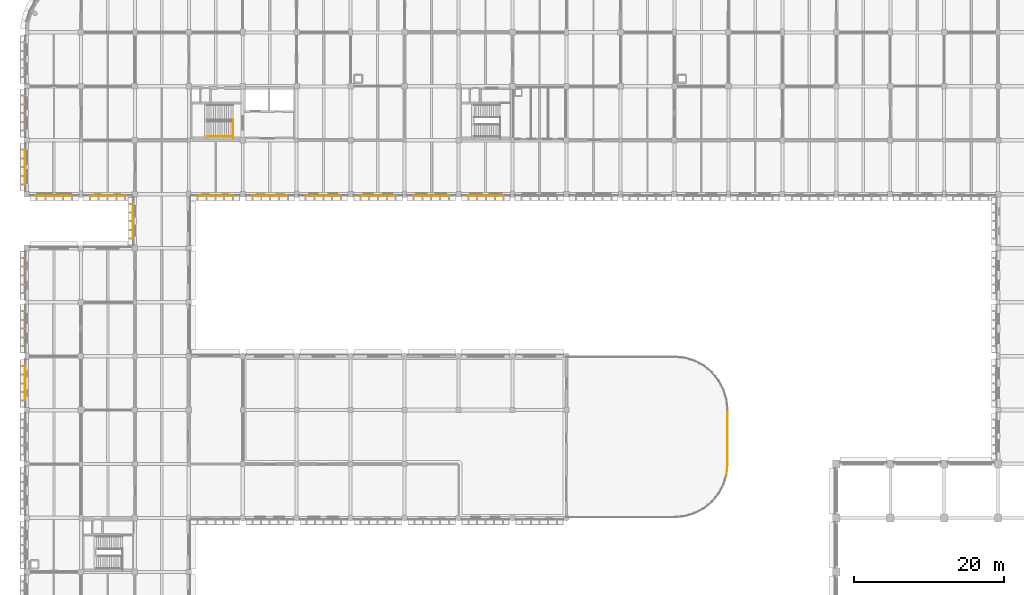
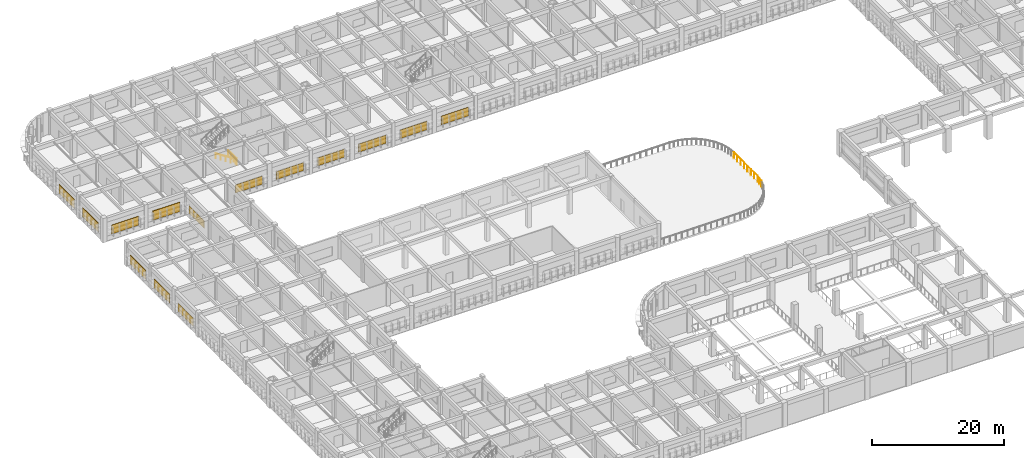
# One storey, part 58 of 61: 14 shading devices, 4 railings.
"""IFC4 building model written with IfcOpenShell, lengths in metres."""

from ifc_helpers import new_model, si_unit, direction, frame, origin, origin_2d, place, context, subcontext, project, spatial, rectangle, circle, extrude, material, layer, layer_set, type_object, element, save


model = new_model("IFC4")

# Units and contexts
model_context = context("Model", 3, precision=1e-05, world=origin(), true_north=direction((0.0, 1.0)))
body_context = subcontext(model_context, "Body", "Model", "MODEL_VIEW")
ifc_project = project(units=[si_unit("LENGTHUNIT", "METRE"), si_unit("AREAUNIT", "SQUARE_METRE"), si_unit("VOLUMEUNIT", "CUBIC_METRE"), si_unit("PLANEANGLEUNIT", "RADIAN"), si_unit("MASSUNIT", "GRAM", prefix="KILO")], contexts=[model_context])

# Site, building, storey
site_placement = place(None, origin())
site = spatial("IfcSite", under=ifc_project, at=site_placement, CompositionType="ELEMENT")
building_placement = place(site_placement, origin())
building = spatial("IfcBuilding", under=site, at=building_placement, Name="Thalmaran Polytechnic", CompositionType="ELEMENT")
storey_placement = place(building_placement, frame((0.0, 0.0, 9.89990234375)))
storey = spatial("IfcBuildingStorey", under=building, at=storey_placement, Name="L02", CompositionType="ELEMENT", Elevation=9.89990234375)

# Railings
ifc_material_1 = material(Name="Stainless steel 316 and laminated glass", Category="steel")
railing_type_1 = type_object("IfcRailingType", Name="RL-BL01", PredefinedType="BALUSTRADE", material=ifc_material_1)
railing_1_placement = place(storey_placement, frame((93.5, 64.795166015625, 0.0)))
element("IfcRailing", 1, at=railing_1_placement, inside=storey, type_object=railing_type_1, Name="Terrace Balustrade Guard L02-1-11", PredefinedType="BALUSTRADE", context=body_context, shape_type="SweptSolid", body=[
    extrude(circle(Radius=0.02392578125, at=origin_2d()), frame((0.0, 0.0, 1.1259765625), z_axis=(0.0, -1.0, 0.0), x_axis=(1.0, 0.0, 0.0)), (0.0, 0.0, 1.0), 7.190185546875),
    extrude(circle(Radius=0.02099609375, at=origin_2d()), origin(), (0.0, 0.0, 1.0), 1.101806640625),
    extrude(circle(Radius=0.02099609375, at=origin_2d()), frame((0.0, -1.027099609375, 0.0)), (0.0, 0.0, 1.0), 1.101806640625),
    extrude(circle(Radius=0.02099609375, at=origin_2d()), frame((0.0, -2.054443359375, 0.0)), (0.0, 0.0, 1.0), 1.101806640625),
    extrude(circle(Radius=0.02099609375, at=origin_2d()), frame((0.0, -3.08154296875, 0.0)), (0.0, 0.0, 1.0), 1.101806640625),
    extrude(circle(Radius=0.02099609375, at=origin_2d()), frame((0.0, -4.108642578125, 0.0)), (0.0, 0.0, 1.0), 1.101806640625),
    extrude(circle(Radius=0.02099609375, at=origin_2d()), frame((0.0, -5.1357421875, 0.0)), (0.0, 0.0, 1.0), 1.101806640625),
    extrude(circle(Radius=0.02099609375, at=origin_2d()), frame((0.0, -6.1630859375, 0.0)), (0.0, 0.0, 1.0), 1.101806640625),
    extrude(circle(Radius=0.02099609375, at=origin_2d()), frame((0.0, -7.190185546875, 0.0)), (0.0, 0.0, 1.0), 1.101806640625),
])
railing_2_placement = place(storey_placement, frame((93.5, 57.60498046875, 0.0)))
element("IfcRailing", 2, at=railing_2_placement, inside=storey, type_object=railing_type_1, Name="Terrace Balustrade Guard L02-1-12", PredefinedType="BALUSTRADE", context=body_context, shape_type="SweptSolid", body=[
    extrude(circle(Radius=0.02392578125, at=origin_2d()), frame((0.0, 0.0, 1.1259765625), z_axis=(-0.098050020131, -0.995181487746, 0.0), x_axis=(0.995181487746, -0.098050020131, 0.0)), (0.0, 0.0, 1.0), 1.39697265625),
    extrude(circle(Radius=0.02099609375, at=origin_2d()), origin(), (0.0, 0.0, 1.0), 1.101806640625),
    extrude(circle(Radius=0.02099609375, at=origin_2d()), frame((-0.068359375, -0.695068359375, 0.0)), (0.0, 0.0, 1.0), 1.101806640625),
    extrude(circle(Radius=0.02099609375, at=origin_2d()), frame((-0.136962890625, -1.39013671875, 0.0)), (0.0, 0.0, 1.0), 1.101806640625),
])
ifc_material_2 = material(Name="Stainless steel 316", Category="steel")
railing_type_2 = type_object("IfcRailingType", Name="RL-GR01", PredefinedType="GUARDRAIL", material=ifc_material_2)
railing_3_placement = place(storey_placement, frame((27.530029296875, 101.050048828125, 0.0)))
element("IfcRailing", 3, at=railing_3_placement, inside=storey, type_object=railing_type_2, Name="ST2 L02 Landing Edge Guardrail", PredefinedType="GUARDRAIL", context=body_context, shape_type="SweptSolid", body=[
    extrude(circle(Radius=0.02392578125, at=origin_2d()), frame((0.0, 0.0, 1.1259765625), z_axis=(0.0, 1.0, 0.0), x_axis=(-1.0, 0.0, 0.0)), (0.0, 0.0, 1.0), 2.530029296875),
    extrude(circle(Radius=0.02099609375, at=origin_2d()), origin(), (0.0, 0.0, 1.0), 1.101806640625),
    extrude(circle(Radius=0.02099609375, at=origin_2d()), frame((0.0, 0.84326171875, 0.0)), (0.0, 0.0, 1.0), 1.101806640625),
    extrude(circle(Radius=0.02099609375, at=origin_2d()), frame((0.0, 1.686767578125, 0.0)), (0.0, 0.0, 1.0), 1.101806640625),
    extrude(circle(Radius=0.02099609375, at=origin_2d()), frame((0.0, 2.530029296875, 0.0)), (0.0, 0.0, 1.0), 1.101806640625),
])
railing_type_3 = type_object("IfcRailingType", Name="RL-HR01", PredefinedType="HANDRAIL", material=ifc_material_2)
railing_4_placement = place(storey_placement, frame((27.52001953125, 101.280029296875, 0.0)))
element("IfcRailing", 4, at=railing_4_placement, inside=storey, type_object=railing_type_3, Name="ST2 L02 Flight 1 Handrail", PredefinedType="HANDRAIL", context=body_context, shape_type="SweptSolid", body=[
    extrude(circle(Radius=0.02392578125, at=origin_2d()), frame((0.0, 0.0, 0.8759765625), z_axis=(-0.84257692701, 0.0, 0.53857601327), x_axis=(0.0, -1.0, 0.0)), (0.0, 0.0, 1.0), 4.177734375),
    extrude(circle(Radius=0.02099609375, at=origin_2d()), origin(), (0.0, 0.0, 1.0), 0.851806640625),
    extrude(circle(Radius=0.02099609375, at=origin_2d()), frame((-0.8798828125, 0.0, 0.5625)), (0.0, 0.0, 1.0), 0.851806640625),
    extrude(circle(Radius=0.02099609375, at=origin_2d()), frame((-1.760009765625, 0.0, 1.125)), (0.0, 0.0, 1.0), 0.851806640625),
    extrude(circle(Radius=0.02099609375, at=origin_2d()), frame((-2.64013671875, 0.0, 1.6875)), (0.0, 0.0, 1.0), 0.851806640625),
    extrude(circle(Radius=0.02099609375, at=origin_2d()), frame((-3.52001953125, 0.0, 2.25)), (0.0, 0.0, 1.0), 0.851806640625),
])

# Shading devices
ifc_material_3 = material(Name="Perforated anodised-bronze aluminium screen", Category="aluminium")
ifc_layer = layer(ifc_material_3, 0.080078125, Name="Perforated anodised-bronze aluminium screen")
ifc_layer_set = layer_set([ifc_layer], Name="Perforated anodised-bronze aluminium screen")
shading_device_type = type_object("IfcShadingDeviceType", Name="SH-JL01", PredefinedType="JALOUSIE", material=ifc_layer_set)
shading_device_1_placement = place(storey_placement, frame((-0.219970703125, 68.39990234375, 1.025146484375), z_axis=(0.0, 0.0, 1.0), x_axis=(0.0, 1.0, 0.0)))
element("IfcShadingDevice", 5, at=shading_device_1_placement, inside=storey, type_object=shading_device_type, Name="Anodised-Bronze Mashrabiya Solar Screen L02-010", PredefinedType="JALOUSIE", context=body_context, shape_type="SweptSolid", body=[
    extrude(rectangle(XDim=4.6259765625, YDim=0.080078125, at=origin_2d()), origin(), (0.0, 0.0, 1.0), 1.5),
])
shading_device_2_placement = place(storey_placement, frame((-0.219970703125, 75.60009765625, 1.025146484375), z_axis=(0.0, 0.0, 1.0), x_axis=(0.0, 1.0, 0.0)))
element("IfcShadingDevice", 6, at=shading_device_2_placement, inside=storey, type_object=shading_device_type, Name="Anodised-Bronze Mashrabiya Solar Screen L02-011", PredefinedType="JALOUSIE", context=body_context, shape_type="SweptSolid", body=[
    extrude(rectangle(XDim=4.662109375, YDim=0.080078125, at=origin_2d()), origin(), (0.0, 0.0, 1.0), 1.60009765625),
])
shading_device_3_placement = place(storey_placement, frame((-0.219970703125, 82.800048828125, 1.025146484375), z_axis=(0.0, 0.0, 1.0), x_axis=(0.0, 1.0, 0.0)))
element("IfcShadingDevice", 7, at=shading_device_3_placement, inside=storey, type_object=shading_device_type, Name="Anodised-Bronze Mashrabiya Solar Screen L02-012", PredefinedType="JALOUSIE", context=body_context, shape_type="SweptSolid", body=[
    extrude(rectangle(XDim=4.687255859375, YDim=0.080078125, at=origin_2d()), origin(), (0.0, 0.0, 1.0), 1.60009765625),
])
shading_device_4_placement = place(storey_placement, frame((14.179931640625, 90.0, 1.025146484375), z_axis=(0.0, 0.0, 1.0), x_axis=(0.0, 1.0, 0.0)))
element("IfcShadingDevice", 8, at=shading_device_4_placement, inside=storey, type_object=shading_device_type, Name="Anodised-Bronze Mashrabiya Solar Screen L02-015", PredefinedType="JALOUSIE", context=body_context, shape_type="SweptSolid", body=[
    extrude(rectangle(XDim=4.63330078125, YDim=0.080078125, at=origin_2d()), origin(), (0.0, 0.0, 1.0), 1.35009765625),
])
shading_device_5_placement = place(storey_placement, frame((10.800048828125, 93.3798828125, 1.025146484375), z_axis=(0.0, 0.0, 1.0), x_axis=(-1.0, 0.0, 0.0)))
element("IfcShadingDevice", 9, at=shading_device_5_placement, inside=storey, type_object=shading_device_type, Name="Anodised-Bronze Mashrabiya Solar Screen L02-016", PredefinedType="JALOUSIE", context=body_context, shape_type="SweptSolid", body=[
    extrude(rectangle(XDim=4.716064453125, YDim=0.080078125, at=origin_2d()), origin(), (0.0, 0.0, 1.0), 1.75),
])
shading_device_6_placement = place(storey_placement, frame((3.60009765625, 93.3798828125, 1.025146484375), z_axis=(0.0, 0.0, 1.0), x_axis=(-1.0, 0.0, 0.0)))
element("IfcShadingDevice", 10, at=shading_device_6_placement, inside=storey, type_object=shading_device_type, Name="Anodised-Bronze Mashrabiya Solar Screen L02-017", PredefinedType="JALOUSIE", context=body_context, shape_type="SweptSolid", body=[
    extrude(rectangle(XDim=4.716064453125, YDim=0.080078125, at=origin_2d()), origin(), (0.0, 0.0, 1.0), 1.64990234375),
])
shading_device_7_placement = place(storey_placement, frame((-0.219970703125, 97.199951171875, 1.025146484375), z_axis=(0.0, 0.0, 1.0), x_axis=(0.0, 1.0, 0.0)))
element("IfcShadingDevice", 11, at=shading_device_7_placement, inside=storey, type_object=shading_device_type, Name="Anodised-Bronze Mashrabiya Solar Screen L02-018", PredefinedType="JALOUSIE", context=body_context, shape_type="SweptSolid", body=[
    extrude(rectangle(XDim=4.65478515625, YDim=0.080078125, at=origin_2d()), origin(), (0.0, 0.0, 1.0), 1.64990234375),
])
shading_device_8_placement = place(storey_placement, frame((-0.219970703125, 104.39990234375, 1.025146484375), z_axis=(0.0, 0.0, 1.0), x_axis=(0.0, 1.0, 0.0)))
element("IfcShadingDevice", 12, at=shading_device_8_placement, inside=storey, type_object=shading_device_type, Name="Anodised-Bronze Mashrabiya Solar Screen L02-019", PredefinedType="JALOUSIE", context=body_context, shape_type="SweptSolid", body=[
    extrude(rectangle(XDim=4.6728515625, YDim=0.080078125, at=origin_2d()), origin(), (0.0, 0.0, 1.0), 1.60009765625),
])
shading_device_9_placement = place(storey_placement, frame((61.199951171875, 93.3798828125, 1.025146484375), z_axis=(0.0, 0.0, 1.0), x_axis=(-1.0, 0.0, 0.0)))
element("IfcShadingDevice", 13, at=shading_device_9_placement, inside=storey, type_object=shading_device_type, Name="Anodised-Bronze Mashrabiya Solar Screen L02-103", PredefinedType="JALOUSIE", context=body_context, shape_type="SweptSolid", body=[
    extrude(rectangle(XDim=4.716064453125, YDim=0.080078125, at=origin_2d()), origin(), (0.0, 0.0, 1.0), 1.60009765625),
])
shading_device_10_placement = place(storey_placement, frame((54.0, 93.3798828125, 1.02490234375), z_axis=(0.0, 0.0, 1.0), x_axis=(-1.0, 0.0, 0.0)))
element("IfcShadingDevice", 14, at=shading_device_10_placement, inside=storey, type_object=shading_device_type, Name="Anodised-Bronze Mashrabiya Solar Screen L02-104", PredefinedType="JALOUSIE", context=body_context, shape_type="SweptSolid", body=[
    extrude(rectangle(XDim=4.716064453125, YDim=0.080078125, at=origin_2d()), origin(), (0.0, 0.0, 1.0), 1.550048828125),
])
shading_device_11_placement = place(storey_placement, frame((46.800048828125, 93.3798828125, 1.025146484375), z_axis=(0.0, 0.0, 1.0), x_axis=(-1.0, 0.0, 0.0)))
element("IfcShadingDevice", 15, at=shading_device_11_placement, inside=storey, type_object=shading_device_type, Name="Anodised-Bronze Mashrabiya Solar Screen L02-105", PredefinedType="JALOUSIE", context=body_context, shape_type="SweptSolid", body=[
    extrude(rectangle(XDim=4.716064453125, YDim=0.080078125, at=origin_2d()), origin(), (0.0, 0.0, 1.0), 1.5),
])
for number, where, z_axis, x_axis, name in (
    (16, (39.60009765625, 93.3798828125, 1.02490234375), (0.0, 0.0, 1.0), (-1.0, 0.0, 0.0), "Anodised-Bronze Mashrabiya Solar Screen L02-106"),
    (17, (32.39990234375, 93.3798828125, 1.02490234375), (0.0, 0.0, 1.0), (-1.0, 0.0, 0.0), "Anodised-Bronze Mashrabiya Solar Screen L02-107"),
):
    element("IfcShadingDevice", number, at=place(storey_placement, frame(where, z_axis=z_axis, x_axis=x_axis)), inside=storey, type_object=shading_device_type, Name=name, PredefinedType="JALOUSIE", context=body_context, shape_type="SweptSolid", body=[
        extrude(rectangle(XDim=4.716064453125, YDim=0.080078125, at=origin_2d()), origin(), (0.0, 0.0, 1.0), 1.449951171875),
    ])
shading_device_12_placement = place(storey_placement, frame((25.199951171875, 93.3798828125, 1.025146484375), z_axis=(0.0, 0.0, 1.0), x_axis=(-1.0, 0.0, 0.0)))
element("IfcShadingDevice", 18, at=shading_device_12_placement, inside=storey, type_object=shading_device_type, Name="Anodised-Bronze Mashrabiya Solar Screen L02-108", PredefinedType="JALOUSIE", context=body_context, shape_type="SweptSolid", body=[
    extrude(rectangle(XDim=4.716064453125, YDim=0.080078125, at=origin_2d()), origin(), (0.0, 0.0, 1.0), 1.5),
])

save(model, "model.ifc")
